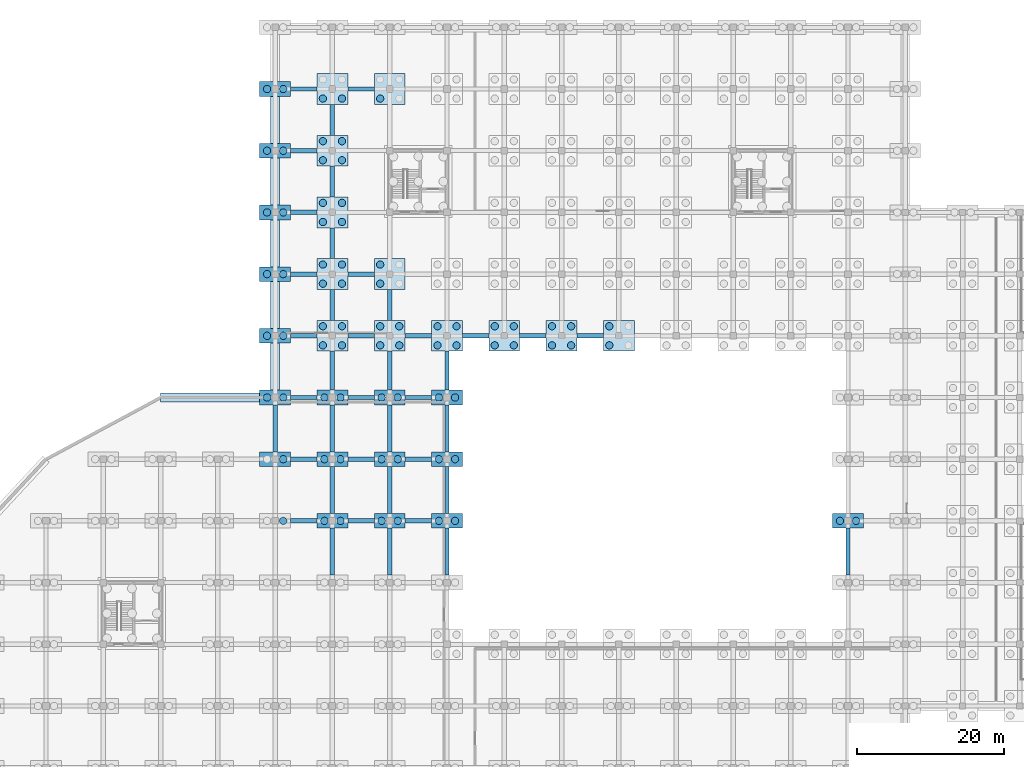
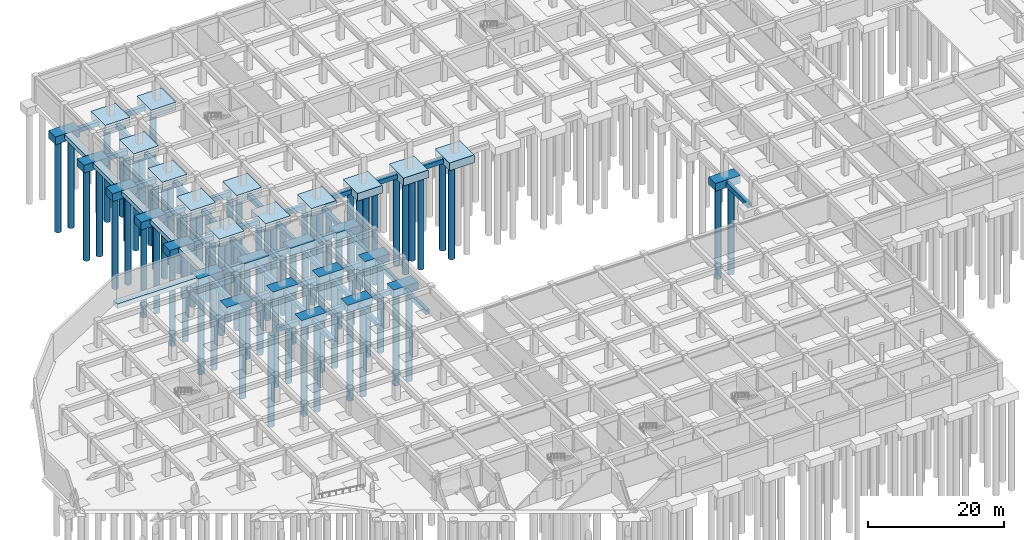
# One storey, part 6 of 31: 75 footings, 73 piles.
"""IFC4 building model written with IfcOpenShell, lengths in metres."""

from ifc_helpers import new_model, si_unit, direction, frame, origin, origin_2d, place, context, subcontext, project, spatial, rectangle, circle, extrude, material, material_profile, profile_set, type_object, element, save


model = new_model("IFC4")

# Units and contexts
model_context = context("Model", 3, precision=1e-05, world=origin(), true_north=direction((0.0, 1.0)))
body_context = subcontext(model_context, "Body", "Model", "MODEL_VIEW")
ifc_project = project(units=[si_unit("LENGTHUNIT", "METRE"), si_unit("AREAUNIT", "SQUARE_METRE"), si_unit("VOLUMEUNIT", "CUBIC_METRE"), si_unit("PLANEANGLEUNIT", "RADIAN"), si_unit("MASSUNIT", "GRAM", prefix="KILO")], contexts=[model_context])

# Site, building, storey
site_placement = place(None, origin())
site = spatial("IfcSite", under=ifc_project, at=site_placement, CompositionType="ELEMENT")
building_placement = place(site_placement, origin())
building = spatial("IfcBuilding", under=site, at=building_placement, Name="Zizhar Promenade General Hospital", CompositionType="ELEMENT")
storey_placement = place(building_placement, frame((0.0, 0.0, -4.800048828125)))
storey = spatial("IfcBuildingStorey", under=building, at=storey_placement, Name="B1", CompositionType="ELEMENT", Elevation=-4.800048828125)

# Footings
ifc_material_1 = material(Name="Concrete C30/37", Category="concrete")
footing_type_1 = type_object("IfcFootingType", Name="FTG-CAP2-4000", PredefinedType="PILE_CAP", material=ifc_material_1)
for number, where, z_axis, x_axis, name in (
    (1, (46.800048828125, 75.60009765625, -1.39990234375), (0.0, 0.0, 1.0), (1.0, 0.0, 0.0), "Pile Cap 7-K"),
    (2, (46.800048828125, 84.0, -1.39990234375), (0.0, 0.0, 1.0), (1.0, 0.0, 0.0), "Pile Cap 7-L"),
    (3, (46.800048828125, 92.39990234375, -1.39990234375), (0.0, 0.0, 1.0), (1.0, 0.0, 0.0), "Pile Cap 7-M"),
    (4, (46.800048828125, 100.800048828125, -1.39990234375), (0.0, 0.0, 1.0), (1.0, 0.0, 0.0), "Pile Cap 7-N"),
    (5, (46.800048828125, 109.199951171875, -1.39990234375), (0.0, 0.0, 1.0), (1.0, 0.0, 0.0), "Pile Cap 7-P"),
    (6, (46.800048828125, 117.60009765625, -1.39990234375), (0.0, 0.0, 1.0), (1.0, 0.0, 0.0), "Pile Cap 7-Q"),
    (7, (46.800048828125, 126.0, -1.39990234375), (0.0, 0.0, 1.0), (1.0, 0.0, 0.0), "Pile Cap 7-R"),
    (8, (54.60009765625, 67.199951171875, -1.39990234375), (0.0, 0.0, 1.0), (1.0, 0.0, 0.0), "Pile Cap 8-J"),
    (9, (54.60009765625, 75.60009765625, -1.39990234375), (0.0, 0.0, 1.0), (1.0, 0.0, 0.0), "Pile Cap 8-K"),
    (10, (54.60009765625, 84.0, -1.39990234375), (0.0, 0.0, 1.0), (1.0, 0.0, 0.0), "Pile Cap 8-L"),
    (11, (62.39990234375, 67.199951171875, -1.39990234375), (0.0, 0.0, 1.0), (1.0, 0.0, 0.0), "Pile Cap 9-J"),
    (12, (62.39990234375, 75.60009765625, -1.39990234375), (0.0, 0.0, 1.0), (1.0, 0.0, 0.0), "Pile Cap 9-K"),
    (13, (62.39990234375, 84.0, -1.39990234375), (0.0, 0.0, 1.0), (1.0, 0.0, 0.0), "Pile Cap 9-L"),
    (14, (70.199951171875, 67.199951171875, -1.39990234375), (0.0, 0.0, 1.0), (1.0, 0.0, 0.0), "Pile Cap 10-J"),
    (15, (70.199951171875, 75.60009765625, -1.39990234375), (0.0, 0.0, 1.0), (1.0, 0.0, 0.0), "Pile Cap 10-K"),
    (16, (70.199951171875, 84.0, -1.39990234375), (0.0, 0.0, 1.0), (1.0, 0.0, 0.0), "Pile Cap 10-L"),
    (17, (124.800048828125, 67.199951171875, -1.39990234375), (0.0, 0.0, 1.0), (1.0, 0.0, 0.0), "Pile Cap 17-J"),
):
    element("IfcFooting", number, at=place(storey_placement, frame(where, z_axis=z_axis, x_axis=x_axis)), inside=storey, type_object=footing_type_1, Name=name, PredefinedType="PILE_CAP", context=body_context, shape_type="SweptSolid", body=[
        extrude(rectangle(XDim=4.199951171875, YDim=2.0, at=origin_2d()), origin(), (0.0, 0.0, 1.0), 1.39990234375),
    ])
ifc_material_2 = material(Name="Concrete C30/37", Category="concrete")
footing_type_2 = type_object("IfcFootingType", Name="FTG-CAP4-4200", PredefinedType="PILE_CAP", material=ifc_material_2)
for number, where, z_axis, x_axis, name in (
    (18, (54.60009765625, 92.39990234375, -1.39990234375), (0.0, 0.0, 1.0), (1.0, 0.0, 0.0), "Pile Cap 8-M"),
    (19, (54.60009765625, 100.800048828125, -1.39990234375), (0.0, 0.0, 1.0), (1.0, 0.0, 0.0), "Pile Cap 8-N"),
    (20, (54.60009765625, 109.199951171875, -1.39990234375), (0.0, 0.0, 1.0), (1.0, 0.0, 0.0), "Pile Cap 8-P"),
    (21, (54.60009765625, 117.60009765625, -1.39990234375), (0.0, 0.0, 1.0), (1.0, 0.0, 0.0), "Pile Cap 8-Q"),
    (22, (54.60009765625, 126.0, -1.39990234375), (0.0, 0.0, 1.0), (1.0, 0.0, 0.0), "Pile Cap 8-R"),
    (23, (62.39990234375, 92.39990234375, -1.39990234375), (0.0, 0.0, 1.0), (1.0, 0.0, 0.0), "Pile Cap 9-M"),
    (24, (62.39990234375, 100.800048828125, -1.39990234375), (0.0, 0.0, 1.0), (1.0, 0.0, 0.0), "Pile Cap 9-N"),
    (25, (62.39990234375, 126.0, -1.39990234375), (0.0, 0.0, 1.0), (1.0, 0.0, 0.0), "Pile Cap 9-R"),
    (26, (70.199951171875, 92.39990234375, -1.39990234375), (0.0, 0.0, 1.0), (1.0, 0.0, 0.0), "Pile Cap 10-M"),
    (27, (78.0, 92.39990234375, -1.39990234375), (0.0, 0.0, 1.0), (1.0, 0.0, 0.0), "Pile Cap 11-M"),
    (28, (85.800048828125, 92.39990234375, -1.39990234375), (0.0, 0.0, 1.0), (1.0, 0.0, 0.0), "Pile Cap 12-M"),
    (29, (93.60009765625, 92.39990234375, -1.39990234375), (0.0, 0.0, 1.0), (1.0, 0.0, 0.0), "Pile Cap 13-M"),
):
    element("IfcFooting", number, at=place(storey_placement, frame(where, z_axis=z_axis, x_axis=x_axis)), inside=storey, type_object=footing_type_2, Name=name, PredefinedType="PILE_CAP", context=body_context, shape_type="SweptSolid", body=[
        extrude(rectangle(XDim=4.199951171875, YDim=4.199951171875, at=origin_2d()), origin(), (0.0, 0.0, 1.0), 1.39990234375),
    ])
ifc_material_3 = material(Name="Concrete C30/37", Category="concrete")
ifc_material_profile_1 = material_profile(ifc_material_3, rectangle(XDim=1.199951171875, YDim=0.800048828125, at=origin_2d()))
ifc_profile_set_1 = profile_set([ifc_material_profile_1], Name="Concrete C30/37")
footing_type_3 = type_object("IfcFootingType", Name="FTG-STRIP-1200", PredefinedType="STRIP_FOOTING", material=ifc_profile_set_1)
footing_1_placement = place(storey_placement, frame((46.800048828125, 125.0, -0.39990234375), z_axis=(0.0, -1.0, 0.0), x_axis=(1.0, 0.0, 0.0)))
element("IfcFooting", 30, at=footing_1_placement, inside=storey, type_object=footing_type_3, Name="Basement Wall Strip Footing B08 (2)", PredefinedType="STRIP_FOOTING", context=body_context, shape_type="SweptSolid", body=[
    extrude(rectangle(XDim=1.199951171875, YDim=0.800048828125, at=origin_2d()), origin(), (0.0, 0.0, 1.0), 6.39990234375),
])
footing_2_placement = place(storey_placement, frame((46.800048828125, 116.60009765625, -0.39990234375), z_axis=(0.0, -1.0, 0.0), x_axis=(1.0, 0.0, 0.0)))
element("IfcFooting", 31, at=footing_2_placement, inside=storey, type_object=footing_type_3, Name="Basement Wall Strip Footing B08 (3)", PredefinedType="STRIP_FOOTING", context=body_context, shape_type="SweptSolid", body=[
    extrude(rectangle(XDim=1.199951171875, YDim=0.800048828125, at=origin_2d()), origin(), (0.0, 0.0, 1.0), 6.400146484375),
])
footing_3_placement = place(storey_placement, frame((46.800048828125, 108.199951171875, -0.39990234375), z_axis=(0.0, -1.0, 0.0), x_axis=(1.0, 0.0, 0.0)))
element("IfcFooting", 32, at=footing_3_placement, inside=storey, type_object=footing_type_3, Name="Basement Wall Strip Footing B08 (4)", PredefinedType="STRIP_FOOTING", context=body_context, shape_type="SweptSolid", body=[
    extrude(rectangle(XDim=1.199951171875, YDim=0.800048828125, at=origin_2d()), origin(), (0.0, 0.0, 1.0), 6.39990234375),
])
footing_4_placement = place(storey_placement, frame((46.800048828125, 99.800048828125, -0.39990234375), z_axis=(0.0, -1.0, 0.0), x_axis=(1.0, 0.0, 0.0)))
element("IfcFooting", 33, at=footing_4_placement, inside=storey, type_object=footing_type_3, Name="Basement Wall Strip Footing B08 (5)", PredefinedType="STRIP_FOOTING", context=body_context, shape_type="SweptSolid", body=[
    extrude(rectangle(XDim=1.199951171875, YDim=0.800048828125, at=origin_2d()), origin(), (0.0, 0.0, 1.0), 6.400146484375),
])
footing_5_placement = place(storey_placement, frame((46.800048828125, 91.39990234375, -0.39990234375), z_axis=(0.0, -1.0, 0.0), x_axis=(1.0, 0.0, 0.0)))
element("IfcFooting", 34, at=footing_5_placement, inside=storey, type_object=footing_type_3, Name="Basement Wall Strip Footing B08 (6)", PredefinedType="STRIP_FOOTING", context=body_context, shape_type="SweptSolid", body=[
    extrude(rectangle(XDim=1.199951171875, YDim=0.800048828125, at=origin_2d()), origin(), (0.0, 0.0, 1.0), 6.39990234375),
])
footing_6_placement = place(storey_placement, frame((44.699951171875, 84.0, -0.39990234375), z_axis=(-1.0, 0.0, 0.0), x_axis=(0.0, -1.0, 0.0)))
element("IfcFooting", 35, at=footing_6_placement, inside=storey, type_object=footing_type_3, Name="Basement Wall Strip Footing B09", PredefinedType="STRIP_FOOTING", context=body_context, shape_type="SweptSolid", body=[
    extrude(rectangle(XDim=1.199951171875, YDim=0.800048828125, at=origin_2d()), origin(), (0.0, 0.0, 1.0), 13.5),
])
ifc_material_4 = material(Name="Concrete C30/37", Category="concrete")
ifc_material_profile_2 = material_profile(ifc_material_4, rectangle(XDim=0.60009765625, YDim=0.800048828125, at=origin_2d()))
ifc_profile_set_2 = profile_set([ifc_material_profile_2], Name="Concrete C30/37")
footing_type_4 = type_object("IfcFootingType", Name="FTG-TIE-600x800", PredefinedType="FOOTING_BEAM", material=ifc_profile_set_2)
for number, where, z_axis, x_axis, name in (
    (36, (48.89990234375, 67.199951171875, -0.800048828125), (1.0, 0.0, 0.0), (0.0, 1.0, 0.0), "Seismic Ground Tie Beam X-6-8"),
    (37, (48.89990234375, 75.60009765625, -0.800048828125), (1.0, 0.0, 0.0), (0.0, 1.0, 0.0), "Seismic Ground Tie Beam X-6-9"),
):
    element("IfcFooting", number, at=place(storey_placement, frame(where, z_axis=z_axis, x_axis=x_axis)), inside=storey, type_object=footing_type_4, Name=name, PredefinedType="FOOTING_BEAM", context=body_context, shape_type="SweptSolid", body=[
        extrude(rectangle(XDim=0.60009765625, YDim=0.800048828125, at=origin_2d()), origin(), (0.0, 0.0, 1.0), 3.60009765625),
    ])
footing_7_placement = place(storey_placement, frame((46.800048828125, 76.60009765625, -0.800048828125), z_axis=(0.0, 1.0, 0.0), x_axis=(-1.0, 0.0, 0.0)))
element("IfcFooting", 38, at=footing_7_placement, inside=storey, type_object=footing_type_4, Name="Seismic Ground Tie Beam Y-6-9", PredefinedType="FOOTING_BEAM", context=body_context, shape_type="SweptSolid", body=[
    extrude(rectangle(XDim=0.60009765625, YDim=0.800048828125, at=origin_2d()), origin(), (0.0, 0.0, 1.0), 6.39990234375),
])
for number, where, z_axis, x_axis, name in (
    (39, (48.89990234375, 84.0, -0.800048828125), (1.0, 0.0, 0.0), (0.0, 1.0, 0.0), "Seismic Ground Tie Beam X-6-10"),
    (40, (48.89990234375, 92.39990234375, -0.800048828125), (1.0, 0.0, 0.0), (0.0, 1.0, 0.0), "Seismic Ground Tie Beam X-6-11"),
    (41, (48.89990234375, 100.800048828125, -0.800048828125), (1.0, 0.0, 0.0), (0.0, 1.0, 0.0), "Seismic Ground Tie Beam X-6-12"),
    (42, (48.89990234375, 109.199951171875, -0.800048828125), (1.0, 0.0, 0.0), (0.0, 1.0, 0.0), "Seismic Ground Tie Beam X-6-13"),
    (43, (48.89990234375, 117.60009765625, -0.800048828125), (1.0, 0.0, 0.0), (0.0, 1.0, 0.0), "Seismic Ground Tie Beam X-6-14"),
    (44, (48.89990234375, 126.0, -0.800048828125), (1.0, 0.0, 0.0), (0.0, 1.0, 0.0), "Seismic Ground Tie Beam X-6-15"),
):
    element("IfcFooting", number, at=place(storey_placement, frame(where, z_axis=z_axis, x_axis=x_axis)), inside=storey, type_object=footing_type_4, Name=name, PredefinedType="FOOTING_BEAM", context=body_context, shape_type="SweptSolid", body=[
        extrude(rectangle(XDim=0.60009765625, YDim=0.800048828125, at=origin_2d()), origin(), (0.0, 0.0, 1.0), 3.60009765625),
    ])
footing_8_placement = place(storey_placement, frame((54.60009765625, 59.800048828125, -0.800048828125), z_axis=(0.0, 1.0, 0.0), x_axis=(-1.0, 0.0, 0.0)))
element("IfcFooting", 45, at=footing_8_placement, inside=storey, type_object=footing_type_4, Name="Seismic Ground Tie Beam Y-7-7", PredefinedType="FOOTING_BEAM", context=body_context, shape_type="SweptSolid", body=[
    extrude(rectangle(XDim=0.60009765625, YDim=0.800048828125, at=origin_2d()), origin(), (0.0, 0.0, 1.0), 6.39990234375),
])
footing_9_placement = place(storey_placement, frame((56.699951171875, 67.199951171875, -0.800048828125), z_axis=(1.0, 0.0, 0.0), x_axis=(0.0, 1.0, 0.0)))
element("IfcFooting", 46, at=footing_9_placement, inside=storey, type_object=footing_type_4, Name="Seismic Ground Tie Beam X-7-8", PredefinedType="FOOTING_BEAM", context=body_context, shape_type="SweptSolid", body=[
    extrude(rectangle(XDim=0.60009765625, YDim=0.800048828125, at=origin_2d()), origin(), (0.0, 0.0, 1.0), 3.60009765625),
])
footing_10_placement = place(storey_placement, frame((54.60009765625, 68.199951171875, -0.800048828125), z_axis=(0.0, 1.0, 0.0), x_axis=(-1.0, 0.0, 0.0)))
element("IfcFooting", 47, at=footing_10_placement, inside=storey, type_object=footing_type_4, Name="Seismic Ground Tie Beam Y-7-8", PredefinedType="FOOTING_BEAM", context=body_context, shape_type="SweptSolid", body=[
    extrude(rectangle(XDim=0.60009765625, YDim=0.800048828125, at=origin_2d()), origin(), (0.0, 0.0, 1.0), 6.400146484375),
])
footing_11_placement = place(storey_placement, frame((56.699951171875, 75.60009765625, -0.800048828125), z_axis=(1.0, 0.0, 0.0), x_axis=(0.0, 1.0, 0.0)))
element("IfcFooting", 48, at=footing_11_placement, inside=storey, type_object=footing_type_4, Name="Seismic Ground Tie Beam X-7-9", PredefinedType="FOOTING_BEAM", context=body_context, shape_type="SweptSolid", body=[
    extrude(rectangle(XDim=0.60009765625, YDim=0.800048828125, at=origin_2d()), origin(), (0.0, 0.0, 1.0), 3.60009765625),
])
footing_12_placement = place(storey_placement, frame((54.60009765625, 76.60009765625, -0.800048828125), z_axis=(0.0, 1.0, 0.0), x_axis=(-1.0, 0.0, 0.0)))
element("IfcFooting", 49, at=footing_12_placement, inside=storey, type_object=footing_type_4, Name="Seismic Ground Tie Beam Y-7-9", PredefinedType="FOOTING_BEAM", context=body_context, shape_type="SweptSolid", body=[
    extrude(rectangle(XDim=0.60009765625, YDim=0.800048828125, at=origin_2d()), origin(), (0.0, 0.0, 1.0), 6.39990234375),
])
footing_13_placement = place(storey_placement, frame((56.699951171875, 84.0, -0.800048828125), z_axis=(1.0, 0.0, 0.0), x_axis=(0.0, 1.0, 0.0)))
element("IfcFooting", 50, at=footing_13_placement, inside=storey, type_object=footing_type_4, Name="Seismic Ground Tie Beam X-7-10", PredefinedType="FOOTING_BEAM", context=body_context, shape_type="SweptSolid", body=[
    extrude(rectangle(XDim=0.60009765625, YDim=0.800048828125, at=origin_2d()), origin(), (0.0, 0.0, 1.0), 3.60009765625),
])
footing_14_placement = place(storey_placement, frame((54.60009765625, 85.0, -0.800048828125), z_axis=(0.0, 1.0, 0.0), x_axis=(-1.0, 0.0, 0.0)))
element("IfcFooting", 51, at=footing_14_placement, inside=storey, type_object=footing_type_4, Name="Seismic Ground Tie Beam Y-7-10", PredefinedType="FOOTING_BEAM", context=body_context, shape_type="SweptSolid", body=[
    extrude(rectangle(XDim=0.60009765625, YDim=0.800048828125, at=origin_2d()), origin(), (0.0, 0.0, 1.0), 5.300048828125),
])
footing_15_placement = place(storey_placement, frame((56.699951171875, 92.39990234375, -0.800048828125), z_axis=(1.0, 0.0, 0.0), x_axis=(0.0, 1.0, 0.0)))
element("IfcFooting", 52, at=footing_15_placement, inside=storey, type_object=footing_type_4, Name="Seismic Ground Tie Beam X-7-11", PredefinedType="FOOTING_BEAM", context=body_context, shape_type="SweptSolid", body=[
    extrude(rectangle(XDim=0.60009765625, YDim=0.800048828125, at=origin_2d()), origin(), (0.0, 0.0, 1.0), 3.60009765625),
])
footing_16_placement = place(storey_placement, frame((54.60009765625, 94.5, -0.800048828125), z_axis=(0.0, 1.0, 0.0), x_axis=(-1.0, 0.0, 0.0)))
element("IfcFooting", 53, at=footing_16_placement, inside=storey, type_object=footing_type_4, Name="Seismic Ground Tie Beam Y-7-11", PredefinedType="FOOTING_BEAM", context=body_context, shape_type="SweptSolid", body=[
    extrude(rectangle(XDim=0.60009765625, YDim=0.800048828125, at=origin_2d()), origin(), (0.0, 0.0, 1.0), 4.199951171875),
])
footing_17_placement = place(storey_placement, frame((56.699951171875, 100.800048828125, -0.800048828125), z_axis=(1.0, 0.0, 0.0), x_axis=(0.0, 1.0, 0.0)))
element("IfcFooting", 54, at=footing_17_placement, inside=storey, type_object=footing_type_4, Name="Seismic Ground Tie Beam X-7-12", PredefinedType="FOOTING_BEAM", context=body_context, shape_type="SweptSolid", body=[
    extrude(rectangle(XDim=0.60009765625, YDim=0.800048828125, at=origin_2d()), origin(), (0.0, 0.0, 1.0), 3.60009765625),
])
footing_18_placement = place(storey_placement, frame((54.60009765625, 102.89990234375, -0.800048828125), z_axis=(0.0, 1.0, 0.0), x_axis=(-1.0, 0.0, 0.0)))
element("IfcFooting", 55, at=footing_18_placement, inside=storey, type_object=footing_type_4, Name="Seismic Ground Tie Beam Y-7-12", PredefinedType="FOOTING_BEAM", context=body_context, shape_type="SweptSolid", body=[
    extrude(rectangle(XDim=0.60009765625, YDim=0.800048828125, at=origin_2d()), origin(), (0.0, 0.0, 1.0), 4.2001953125),
])
for number, where, z_axis, x_axis, name in (
    (56, (54.60009765625, 111.300048828125, -0.800048828125), (0.0, 1.0, 0.0), (-1.0, 0.0, 0.0), "Seismic Ground Tie Beam Y-7-13"),
    (57, (54.60009765625, 119.699951171875, -0.800048828125), (0.0, 1.0, 0.0), (-1.0, 0.0, 0.0), "Seismic Ground Tie Beam Y-7-14"),
):
    element("IfcFooting", number, at=place(storey_placement, frame(where, z_axis=z_axis, x_axis=x_axis)), inside=storey, type_object=footing_type_4, Name=name, PredefinedType="FOOTING_BEAM", context=body_context, shape_type="SweptSolid", body=[
        extrude(rectangle(XDim=0.60009765625, YDim=0.800048828125, at=origin_2d()), origin(), (0.0, 0.0, 1.0), 4.199951171875),
    ])
footing_19_placement = place(storey_placement, frame((56.699951171875, 126.0, -0.800048828125), z_axis=(1.0, 0.0, 0.0), x_axis=(0.0, 1.0, 0.0)))
element("IfcFooting", 58, at=footing_19_placement, inside=storey, type_object=footing_type_4, Name="Seismic Ground Tie Beam X-7-15", PredefinedType="FOOTING_BEAM", context=body_context, shape_type="SweptSolid", body=[
    extrude(rectangle(XDim=0.60009765625, YDim=0.800048828125, at=origin_2d()), origin(), (0.0, 0.0, 1.0), 3.60009765625),
])
footing_20_placement = place(storey_placement, frame((62.39990234375, 59.800048828125, -0.800048828125), z_axis=(0.0, 1.0, 0.0), x_axis=(-1.0, 0.0, 0.0)))
element("IfcFooting", 59, at=footing_20_placement, inside=storey, type_object=footing_type_4, Name="Seismic Ground Tie Beam Y-8-7", PredefinedType="FOOTING_BEAM", context=body_context, shape_type="SweptSolid", body=[
    extrude(rectangle(XDim=0.60009765625, YDim=0.800048828125, at=origin_2d()), origin(), (0.0, 0.0, 1.0), 6.39990234375),
])
footing_21_placement = place(storey_placement, frame((64.5, 67.199951171875, -0.800048828125), z_axis=(1.0, 0.0, 0.0), x_axis=(0.0, 1.0, 0.0)))
element("IfcFooting", 60, at=footing_21_placement, inside=storey, type_object=footing_type_4, Name="Seismic Ground Tie Beam X-8-8", PredefinedType="FOOTING_BEAM", context=body_context, shape_type="SweptSolid", body=[
    extrude(rectangle(XDim=0.60009765625, YDim=0.800048828125, at=origin_2d()), origin(), (0.0, 0.0, 1.0), 3.60009765625),
])
footing_22_placement = place(storey_placement, frame((62.39990234375, 68.199951171875, -0.800048828125), z_axis=(0.0, 1.0, 0.0), x_axis=(-1.0, 0.0, 0.0)))
element("IfcFooting", 61, at=footing_22_placement, inside=storey, type_object=footing_type_4, Name="Seismic Ground Tie Beam Y-8-8", PredefinedType="FOOTING_BEAM", context=body_context, shape_type="SweptSolid", body=[
    extrude(rectangle(XDim=0.60009765625, YDim=0.800048828125, at=origin_2d()), origin(), (0.0, 0.0, 1.0), 6.400146484375),
])
footing_23_placement = place(storey_placement, frame((64.5, 75.60009765625, -0.800048828125), z_axis=(1.0, 0.0, 0.0), x_axis=(0.0, 1.0, 0.0)))
element("IfcFooting", 62, at=footing_23_placement, inside=storey, type_object=footing_type_4, Name="Seismic Ground Tie Beam X-8-9", PredefinedType="FOOTING_BEAM", context=body_context, shape_type="SweptSolid", body=[
    extrude(rectangle(XDim=0.60009765625, YDim=0.800048828125, at=origin_2d()), origin(), (0.0, 0.0, 1.0), 3.60009765625),
])
footing_24_placement = place(storey_placement, frame((62.39990234375, 76.60009765625, -0.800048828125), z_axis=(0.0, 1.0, 0.0), x_axis=(-1.0, 0.0, 0.0)))
element("IfcFooting", 63, at=footing_24_placement, inside=storey, type_object=footing_type_4, Name="Seismic Ground Tie Beam Y-8-9", PredefinedType="FOOTING_BEAM", context=body_context, shape_type="SweptSolid", body=[
    extrude(rectangle(XDim=0.60009765625, YDim=0.800048828125, at=origin_2d()), origin(), (0.0, 0.0, 1.0), 6.39990234375),
])
footing_25_placement = place(storey_placement, frame((64.5, 84.0, -0.800048828125), z_axis=(1.0, 0.0, 0.0), x_axis=(0.0, 1.0, 0.0)))
element("IfcFooting", 64, at=footing_25_placement, inside=storey, type_object=footing_type_4, Name="Seismic Ground Tie Beam X-8-10", PredefinedType="FOOTING_BEAM", context=body_context, shape_type="SweptSolid", body=[
    extrude(rectangle(XDim=0.60009765625, YDim=0.800048828125, at=origin_2d()), origin(), (0.0, 0.0, 1.0), 3.60009765625),
])
footing_26_placement = place(storey_placement, frame((62.39990234375, 85.0, -0.800048828125), z_axis=(0.0, 1.0, 0.0), x_axis=(-1.0, 0.0, 0.0)))
element("IfcFooting", 65, at=footing_26_placement, inside=storey, type_object=footing_type_4, Name="Seismic Ground Tie Beam Y-8-10", PredefinedType="FOOTING_BEAM", context=body_context, shape_type="SweptSolid", body=[
    extrude(rectangle(XDim=0.60009765625, YDim=0.800048828125, at=origin_2d()), origin(), (0.0, 0.0, 1.0), 5.300048828125),
])
footing_27_placement = place(storey_placement, frame((64.5, 92.39990234375, -0.800048828125), z_axis=(1.0, 0.0, 0.0), x_axis=(0.0, 1.0, 0.0)))
element("IfcFooting", 66, at=footing_27_placement, inside=storey, type_object=footing_type_4, Name="Seismic Ground Tie Beam X-8-11", PredefinedType="FOOTING_BEAM", context=body_context, shape_type="SweptSolid", body=[
    extrude(rectangle(XDim=0.60009765625, YDim=0.800048828125, at=origin_2d()), origin(), (0.0, 0.0, 1.0), 3.60009765625),
])
footing_28_placement = place(storey_placement, frame((62.39990234375, 94.5, -0.800048828125), z_axis=(0.0, 1.0, 0.0), x_axis=(-1.0, 0.0, 0.0)))
element("IfcFooting", 67, at=footing_28_placement, inside=storey, type_object=footing_type_4, Name="Seismic Ground Tie Beam Y-8-11", PredefinedType="FOOTING_BEAM", context=body_context, shape_type="SweptSolid", body=[
    extrude(rectangle(XDim=0.60009765625, YDim=0.800048828125, at=origin_2d()), origin(), (0.0, 0.0, 1.0), 4.199951171875),
])
footing_29_placement = place(storey_placement, frame((70.199951171875, 59.800048828125, -0.800048828125), z_axis=(0.0, 1.0, 0.0), x_axis=(-1.0, 0.0, 0.0)))
element("IfcFooting", 68, at=footing_29_placement, inside=storey, type_object=footing_type_4, Name="Seismic Ground Tie Beam Y-9-7", PredefinedType="FOOTING_BEAM", context=body_context, shape_type="SweptSolid", body=[
    extrude(rectangle(XDim=0.60009765625, YDim=0.800048828125, at=origin_2d()), origin(), (0.0, 0.0, 1.0), 6.39990234375),
])
footing_30_placement = place(storey_placement, frame((70.199951171875, 68.199951171875, -0.800048828125), z_axis=(0.0, 1.0, 0.0), x_axis=(-1.0, 0.0, 0.0)))
element("IfcFooting", 69, at=footing_30_placement, inside=storey, type_object=footing_type_4, Name="Seismic Ground Tie Beam Y-9-8", PredefinedType="FOOTING_BEAM", context=body_context, shape_type="SweptSolid", body=[
    extrude(rectangle(XDim=0.60009765625, YDim=0.800048828125, at=origin_2d()), origin(), (0.0, 0.0, 1.0), 6.400146484375),
])
footing_31_placement = place(storey_placement, frame((70.199951171875, 76.60009765625, -0.800048828125), z_axis=(0.0, 1.0, 0.0), x_axis=(-1.0, 0.0, 0.0)))
element("IfcFooting", 70, at=footing_31_placement, inside=storey, type_object=footing_type_4, Name="Seismic Ground Tie Beam Y-9-9", PredefinedType="FOOTING_BEAM", context=body_context, shape_type="SweptSolid", body=[
    extrude(rectangle(XDim=0.60009765625, YDim=0.800048828125, at=origin_2d()), origin(), (0.0, 0.0, 1.0), 6.39990234375),
])
footing_32_placement = place(storey_placement, frame((70.199951171875, 85.0, -0.800048828125), z_axis=(0.0, 1.0, 0.0), x_axis=(-1.0, 0.0, 0.0)))
element("IfcFooting", 71, at=footing_32_placement, inside=storey, type_object=footing_type_4, Name="Seismic Ground Tie Beam Y-9-10", PredefinedType="FOOTING_BEAM", context=body_context, shape_type="SweptSolid", body=[
    extrude(rectangle(XDim=0.60009765625, YDim=0.800048828125, at=origin_2d()), origin(), (0.0, 0.0, 1.0), 5.300048828125),
])
for number, where, z_axis, x_axis, name in (
    (72, (72.300048828125, 92.39990234375, -0.800048828125), (1.0, 0.0, 0.0), (0.0, 1.0, 0.0), "Seismic Ground Tie Beam X-9-11"),
    (73, (80.10009765625, 92.39990234375, -0.800048828125), (1.0, 0.0, 0.0), (0.0, 1.0, 0.0), "Seismic Ground Tie Beam X-10-11"),
):
    element("IfcFooting", number, at=place(storey_placement, frame(where, z_axis=z_axis, x_axis=x_axis)), inside=storey, type_object=footing_type_4, Name=name, PredefinedType="FOOTING_BEAM", context=body_context, shape_type="SweptSolid", body=[
        extrude(rectangle(XDim=0.60009765625, YDim=0.800048828125, at=origin_2d()), origin(), (0.0, 0.0, 1.0), 3.599853515625),
    ])
footing_33_placement = place(storey_placement, frame((87.89990234375, 92.39990234375, -0.800048828125), z_axis=(1.0, 0.0, 0.0), x_axis=(0.0, 1.0, 0.0)))
element("IfcFooting", 74, at=footing_33_placement, inside=storey, type_object=footing_type_4, Name="Seismic Ground Tie Beam X-11-11", PredefinedType="FOOTING_BEAM", context=body_context, shape_type="SweptSolid", body=[
    extrude(rectangle(XDim=0.60009765625, YDim=0.800048828125, at=origin_2d()), origin(), (0.0, 0.0, 1.0), 3.60009765625),
])
footing_34_placement = place(storey_placement, frame((124.800048828125, 59.800048828125, -0.800048828125), z_axis=(0.0, 1.0, 0.0), x_axis=(-1.0, 0.0, 0.0)))
element("IfcFooting", 75, at=footing_34_placement, inside=storey, type_object=footing_type_4, Name="Seismic Ground Tie Beam Y-16-7", PredefinedType="FOOTING_BEAM", context=body_context, shape_type="SweptSolid", body=[
    extrude(rectangle(XDim=0.60009765625, YDim=0.800048828125, at=origin_2d()), origin(), (0.0, 0.0, 1.0), 6.39990234375),
])

# Piles
ifc_material_5 = material(Name="Concrete C30/37", Category="concrete")
ifc_material_profile_3 = material_profile(ifc_material_5, circle(Radius=0.5, at=origin_2d()))
ifc_profile_set_3 = profile_set([ifc_material_profile_3], Name="Concrete C30/37")
pile_type = type_object("IfcPileType", Name="PIL-BORED-1000", PredefinedType="BORED", material=ifc_profile_set_3)
for number, where, z_axis, x_axis, name in (
    (76, (47.89990234375, 67.199951171875, -1.300048828125), (0.0, 0.0, -1.0), (1.0, 0.0, 0.0), "Bored Pile 7-J-2"),
    (77, (47.89990234375, 75.60009765625, -1.300048828125), (0.0, 0.0, -1.0), (1.0, 0.0, 0.0), "Bored Pile 7-K-2"),
    (78, (45.699951171875, 84.0, -1.300048828125), (0.0, 0.0, -1.0), (1.0, 0.0, 0.0), "Bored Pile 7-L-1"),
    (79, (47.89990234375, 84.0, -1.300048828125), (0.0, 0.0, -1.0), (1.0, 0.0, 0.0), "Bored Pile 7-L-2"),
    (80, (45.699951171875, 92.39990234375, -1.300048828125), (0.0, 0.0, -1.0), (1.0, 0.0, 0.0), "Bored Pile 7-M-1"),
    (81, (47.89990234375, 92.39990234375, -1.300048828125), (0.0, 0.0, -1.0), (1.0, 0.0, 0.0), "Bored Pile 7-M-2"),
    (82, (45.699951171875, 100.800048828125, -1.300048828125), (0.0, 0.0, -1.0), (1.0, 0.0, 0.0), "Bored Pile 7-N-1"),
    (83, (47.89990234375, 100.800048828125, -1.300048828125), (0.0, 0.0, -1.0), (1.0, 0.0, 0.0), "Bored Pile 7-N-2"),
    (84, (45.699951171875, 109.199951171875, -1.300048828125), (0.0, 0.0, -1.0), (1.0, 0.0, 0.0), "Bored Pile 7-P-1"),
    (85, (47.89990234375, 109.199951171875, -1.300048828125), (0.0, 0.0, -1.0), (1.0, 0.0, 0.0), "Bored Pile 7-P-2"),
    (86, (45.699951171875, 117.60009765625, -1.300048828125), (0.0, 0.0, -1.0), (1.0, 0.0, 0.0), "Bored Pile 7-Q-1"),
    (87, (47.89990234375, 117.60009765625, -1.300048828125), (0.0, 0.0, -1.0), (1.0, 0.0, 0.0), "Bored Pile 7-Q-2"),
    (88, (45.699951171875, 126.0, -1.300048828125), (0.0, 0.0, -1.0), (1.0, 0.0, 0.0), "Bored Pile 7-R-1"),
    (89, (47.89990234375, 126.0, -1.300048828125), (0.0, 0.0, -1.0), (1.0, 0.0, 0.0), "Bored Pile 7-R-2"),
    (90, (53.5, 67.199951171875, -1.300048828125), (0.0, 0.0, -1.0), (1.0, 0.0, 0.0), "Bored Pile 8-J-1"),
    (91, (55.699951171875, 67.199951171875, -1.300048828125), (0.0, 0.0, -1.0), (1.0, 0.0, 0.0), "Bored Pile 8-J-2"),
    (92, (53.5, 75.60009765625, -1.300048828125), (0.0, 0.0, -1.0), (1.0, 0.0, 0.0), "Bored Pile 8-K-1"),
    (93, (55.699951171875, 75.60009765625, -1.300048828125), (0.0, 0.0, -1.0), (1.0, 0.0, 0.0), "Bored Pile 8-K-2"),
    (94, (53.5, 84.0, -1.300048828125), (0.0, 0.0, -1.0), (1.0, 0.0, 0.0), "Bored Pile 8-L-1"),
    (95, (55.699951171875, 84.0, -1.300048828125), (0.0, 0.0, -1.0), (1.0, 0.0, 0.0), "Bored Pile 8-L-2"),
    (96, (53.300048828125, 91.10009765625, -1.300048828125), (0.0, 0.0, -1.0), (1.0, 0.0, 0.0), "Bored Pile 8-M-1"),
    (97, (53.300048828125, 93.699951171875, -1.300048828125), (0.0, 0.0, -1.0), (1.0, 0.0, 0.0), "Bored Pile 8-M-2"),
    (98, (55.89990234375, 91.10009765625, -1.300048828125), (0.0, 0.0, -1.0), (1.0, 0.0, 0.0), "Bored Pile 8-M-3"),
    (99, (55.89990234375, 93.699951171875, -1.300048828125), (0.0, 0.0, -1.0), (1.0, 0.0, 0.0), "Bored Pile 8-M-4"),
    (100, (53.300048828125, 99.5, -1.300048828125), (0.0, 0.0, -1.0), (1.0, 0.0, 0.0), "Bored Pile 8-N-1"),
    (101, (53.300048828125, 102.10009765625, -1.300048828125), (0.0, 0.0, -1.0), (1.0, 0.0, 0.0), "Bored Pile 8-N-2"),
    (102, (55.89990234375, 99.5, -1.300048828125), (0.0, 0.0, -1.0), (1.0, 0.0, 0.0), "Bored Pile 8-N-3"),
    (103, (55.89990234375, 102.10009765625, -1.300048828125), (0.0, 0.0, -1.0), (1.0, 0.0, 0.0), "Bored Pile 8-N-4"),
    (104, (53.300048828125, 107.89990234375, -1.300048828125), (0.0, 0.0, -1.0), (1.0, 0.0, 0.0), "Bored Pile 8-P-1"),
    (105, (53.300048828125, 110.5, -1.300048828125), (0.0, 0.0, -1.0), (1.0, 0.0, 0.0), "Bored Pile 8-P-2"),
    (106, (55.89990234375, 107.89990234375, -1.300048828125), (0.0, 0.0, -1.0), (1.0, 0.0, 0.0), "Bored Pile 8-P-3"),
    (107, (55.89990234375, 110.5, -1.300048828125), (0.0, 0.0, -1.0), (1.0, 0.0, 0.0), "Bored Pile 8-P-4"),
    (108, (53.300048828125, 116.300048828125, -1.300048828125), (0.0, 0.0, -1.0), (1.0, 0.0, 0.0), "Bored Pile 8-Q-1"),
    (109, (53.300048828125, 118.89990234375, -1.300048828125), (0.0, 0.0, -1.0), (1.0, 0.0, 0.0), "Bored Pile 8-Q-2"),
    (110, (55.89990234375, 116.300048828125, -1.300048828125), (0.0, 0.0, -1.0), (1.0, 0.0, 0.0), "Bored Pile 8-Q-3"),
    (111, (55.89990234375, 118.89990234375, -1.300048828125), (0.0, 0.0, -1.0), (1.0, 0.0, 0.0), "Bored Pile 8-Q-4"),
    (112, (53.300048828125, 124.699951171875, -1.300048828125), (0.0, 0.0, -1.0), (1.0, 0.0, 0.0), "Bored Pile 8-R-1"),
    (113, (55.89990234375, 124.699951171875, -1.300048828125), (0.0, 0.0, -1.0), (1.0, 0.0, 0.0), "Bored Pile 8-R-3"),
    (114, (61.300048828125, 67.199951171875, -1.300048828125), (0.0, 0.0, -1.0), (1.0, 0.0, 0.0), "Bored Pile 9-J-1"),
    (115, (63.5, 67.199951171875, -1.300048828125), (0.0, 0.0, -1.0), (1.0, 0.0, 0.0), "Bored Pile 9-J-2"),
    (116, (61.300048828125, 75.60009765625, -1.300048828125), (0.0, 0.0, -1.0), (1.0, 0.0, 0.0), "Bored Pile 9-K-1"),
    (117, (63.5, 75.60009765625, -1.300048828125), (0.0, 0.0, -1.0), (1.0, 0.0, 0.0), "Bored Pile 9-K-2"),
    (118, (61.300048828125, 84.0, -1.300048828125), (0.0, 0.0, -1.0), (1.0, 0.0, 0.0), "Bored Pile 9-L-1"),
    (119, (63.5, 84.0, -1.300048828125), (0.0, 0.0, -1.0), (1.0, 0.0, 0.0), "Bored Pile 9-L-2"),
    (120, (61.10009765625, 91.10009765625, -1.300048828125), (0.0, 0.0, -1.0), (1.0, 0.0, 0.0), "Bored Pile 9-M-1"),
    (121, (61.10009765625, 93.699951171875, -1.300048828125), (0.0, 0.0, -1.0), (1.0, 0.0, 0.0), "Bored Pile 9-M-2"),
    (122, (63.699951171875, 91.10009765625, -1.300048828125), (0.0, 0.0, -1.0), (1.0, 0.0, 0.0), "Bored Pile 9-M-3"),
    (123, (63.699951171875, 93.699951171875, -1.300048828125), (0.0, 0.0, -1.0), (1.0, 0.0, 0.0), "Bored Pile 9-M-4"),
    (124, (61.10009765625, 99.5, -1.300048828125), (0.0, 0.0, -1.0), (1.0, 0.0, 0.0), "Bored Pile 9-N-1"),
    (125, (61.10009765625, 102.10009765625, -1.300048828125), (0.0, 0.0, -1.0), (1.0, 0.0, 0.0), "Bored Pile 9-N-2"),
    (126, (61.10009765625, 124.699951171875, -1.300048828125), (0.0, 0.0, -1.0), (1.0, 0.0, 0.0), "Bored Pile 9-R-1"),
    (127, (69.10009765625, 67.199951171875, -1.300048828125), (0.0, 0.0, -1.0), (1.0, 0.0, 0.0), "Bored Pile 10-J-1"),
    (128, (71.300048828125, 67.199951171875, -1.300048828125), (0.0, 0.0, -1.0), (1.0, 0.0, 0.0), "Bored Pile 10-J-2"),
    (129, (69.10009765625, 75.60009765625, -1.300048828125), (0.0, 0.0, -1.0), (1.0, 0.0, 0.0), "Bored Pile 10-K-1"),
    (130, (71.300048828125, 75.60009765625, -1.300048828125), (0.0, 0.0, -1.0), (1.0, 0.0, 0.0), "Bored Pile 10-K-2"),
    (131, (69.10009765625, 84.0, -1.300048828125), (0.0, 0.0, -1.0), (1.0, 0.0, 0.0), "Bored Pile 10-L-1"),
    (132, (71.300048828125, 84.0, -1.300048828125), (0.0, 0.0, -1.0), (1.0, 0.0, 0.0), "Bored Pile 10-L-2"),
    (133, (68.89990234375, 91.10009765625, -1.300048828125), (0.0, 0.0, -1.0), (1.0, 0.0, 0.0), "Bored Pile 10-M-1"),
    (134, (68.89990234375, 93.699951171875, -1.300048828125), (0.0, 0.0, -1.0), (1.0, 0.0, 0.0), "Bored Pile 10-M-2"),
    (135, (71.5, 91.10009765625, -1.300048828125), (0.0, 0.0, -1.0), (1.0, 0.0, 0.0), "Bored Pile 10-M-3"),
    (136, (71.5, 93.699951171875, -1.300048828125), (0.0, 0.0, -1.0), (1.0, 0.0, 0.0), "Bored Pile 10-M-4"),
    (137, (76.699951171875, 91.10009765625, -1.300048828125), (0.0, 0.0, -1.0), (1.0, 0.0, 0.0), "Bored Pile 11-M-1"),
    (138, (76.699951171875, 93.699951171875, -1.300048828125), (0.0, 0.0, -1.0), (1.0, 0.0, 0.0), "Bored Pile 11-M-2"),
    (139, (79.300048828125, 91.10009765625, -1.300048828125), (0.0, 0.0, -1.0), (1.0, 0.0, 0.0), "Bored Pile 11-M-3"),
    (140, (79.300048828125, 93.699951171875, -1.300048828125), (0.0, 0.0, -1.0), (1.0, 0.0, 0.0), "Bored Pile 11-M-4"),
    (141, (84.5, 91.10009765625, -1.300048828125), (0.0, 0.0, -1.0), (1.0, 0.0, 0.0), "Bored Pile 12-M-1"),
    (142, (84.5, 93.699951171875, -1.300048828125), (0.0, 0.0, -1.0), (1.0, 0.0, 0.0), "Bored Pile 12-M-2"),
    (143, (87.10009765625, 91.10009765625, -1.300048828125), (0.0, 0.0, -1.0), (1.0, 0.0, 0.0), "Bored Pile 12-M-3"),
    (144, (87.10009765625, 93.699951171875, -1.300048828125), (0.0, 0.0, -1.0), (1.0, 0.0, 0.0), "Bored Pile 12-M-4"),
    (145, (92.300048828125, 91.10009765625, -1.300048828125), (0.0, 0.0, -1.0), (1.0, 0.0, 0.0), "Bored Pile 13-M-1"),
    (146, (92.300048828125, 93.699951171875, -1.300048828125), (0.0, 0.0, -1.0), (1.0, 0.0, 0.0), "Bored Pile 13-M-2"),
    (147, (123.699951171875, 67.199951171875, -1.300048828125), (0.0, 0.0, -1.0), (1.0, 0.0, 0.0), "Bored Pile 17-J-1"),
    (148, (125.89990234375, 67.199951171875, -1.300048828125), (0.0, 0.0, -1.0), (1.0, 0.0, 0.0), "Bored Pile 17-J-2"),
):
    element("IfcPile", number, at=place(storey_placement, frame(where, z_axis=z_axis, x_axis=x_axis)), inside=storey, type_object=pile_type, Name=name, PredefinedType="BORED", context=body_context, shape_type="SweptSolid", body=[
        extrude(circle(Radius=0.5, at=origin_2d()), origin(), (0.0, 0.0, 1.0), 16.5),
    ])

save(model, "model.ifc")
